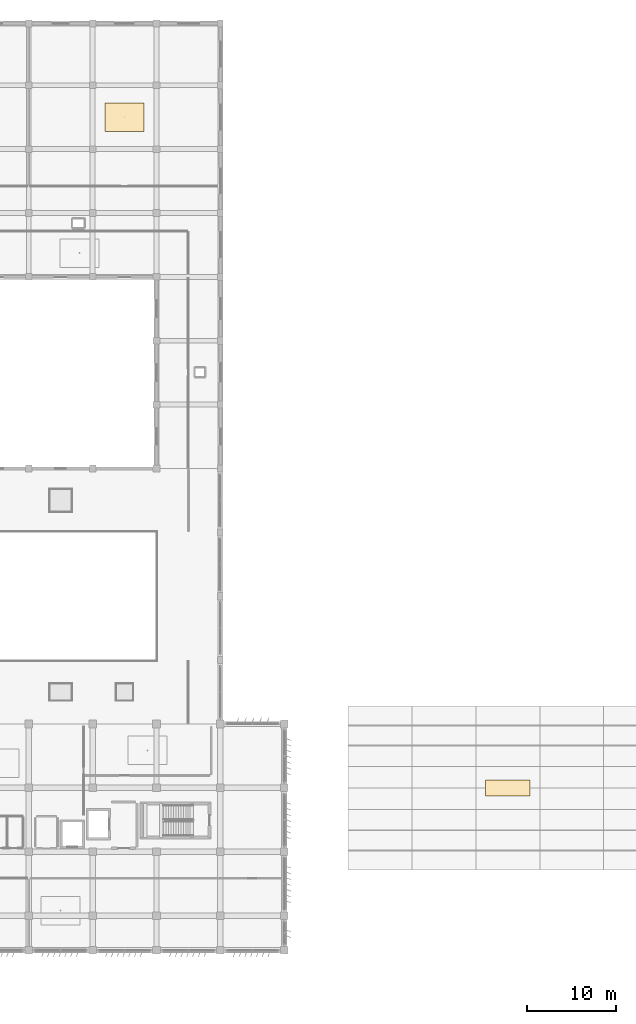
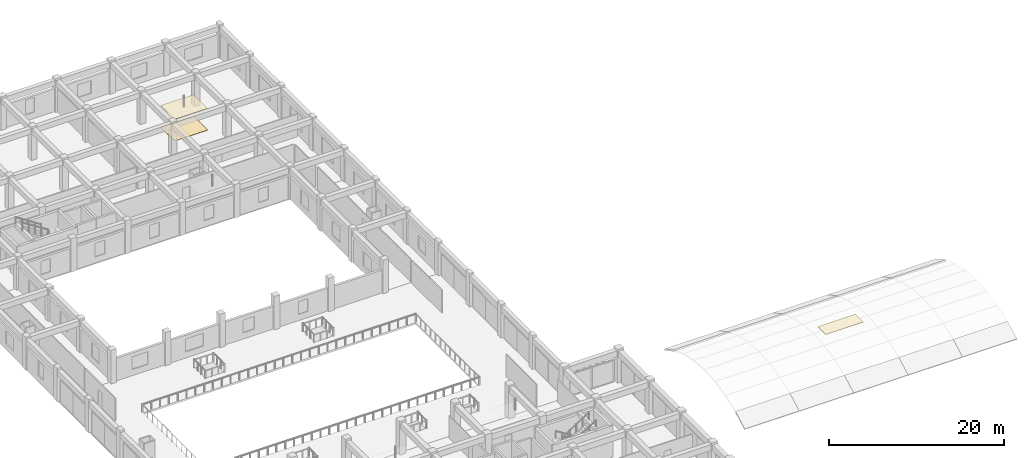
# One storey, part 55 of 55: 3 coverings.
"""IFC4 building model written with IfcOpenShell, lengths in metres."""

from ifc_helpers import new_model, si_unit, direction, frame, origin, origin_2d, place, context, subcontext, project, spatial, rectangle, extrude, material, layer, layer_set, type_object, element, save


model = new_model("IFC4")

# Units and contexts
model_context = context("Model", 3, precision=1e-05, world=origin(), true_north=direction((0.0, 1.0)))
body_context = subcontext(model_context, "Body", "Model", "MODEL_VIEW")
ifc_project = project(units=[si_unit("LENGTHUNIT", "METRE"), si_unit("AREAUNIT", "SQUARE_METRE"), si_unit("VOLUMEUNIT", "CUBIC_METRE"), si_unit("PLANEANGLEUNIT", "RADIAN"), si_unit("MASSUNIT", "GRAM", prefix="KILO")], contexts=[model_context])

# Site, building, storey
site_placement = place(None, origin())
site = spatial("IfcSite", under=ifc_project, at=site_placement, CompositionType="ELEMENT")
building_placement = place(site_placement, origin())
building = spatial("IfcBuilding", under=site, at=building_placement, Name="Kazehaya Institute of Natural Sciences", CompositionType="ELEMENT")
storey_placement = place(building_placement, frame((0.0, 0.0, 15.1201171875)))
storey = spatial("IfcBuildingStorey", under=building, at=storey_placement, Name="L03", CompositionType="ELEMENT", Elevation=15.1201171875)

# Coverings
ifc_material_1 = material(Name="Mineral-fibre acoustic ceiling tile")
ifc_layer_1 = layer(ifc_material_1, 0.02490234375, Name="Mineral-fibre acoustic ceiling tile")
ifc_layer_set_1 = layer_set([ifc_layer_1], Name="Mineral-fibre acoustic ceiling tile")
covering_type_1 = type_object("IfcCoveringType", Name="COV-CEIL-AC", PredefinedType="CEILING", material=ifc_layer_set_1)
covering_1_placement = place(storey_placement, frame((101.397705078125, 104.005615234375, 3.02734375), z_axis=(0.0, 0.0, 1.0), x_axis=(1.0, 0.0, 0.0)))
element("IfcCovering", 1, at=covering_1_placement, inside=storey, type_object=covering_type_1, Name="L03 Ecological Modelling Lab ceiling 38", PredefinedType="CEILING", context=body_context, shape_type="SweptSolid", body=[
    extrude(rectangle(XDim=4.39990234375, YDim=3.199951171875, at=origin_2d()), origin(), (0.0, 0.0, 1.0), 0.02490234375),
])
ifc_material_2 = material(Name="Polished Sawara stone terrazzo flooring", Category="masonry")
ifc_layer_2 = layer(ifc_material_2, 0.02001953125, Name="Polished Sawara stone terrazzo flooring", Category="masonry")
ifc_layer_set_2 = layer_set([ifc_layer_2], Name="Polished Sawara stone terrazzo flooring")
covering_type_2 = type_object("IfcCoveringType", Name="COV-FLR-TRZ", PredefinedType="FLOORING", material=ifc_layer_set_2)
covering_2_placement = place(storey_placement, frame((101.397705078125, 104.005615234375, -0.000244140625), z_axis=(0.0, 0.0, 1.0), x_axis=(1.0, 0.0, 0.0)))
element("IfcCovering", 2, at=covering_2_placement, inside=storey, type_object=covering_type_2, Name="L03 Ecological Modelling Lab finish flooring 38", PredefinedType="FLOORING", context=body_context, shape_type="SweptSolid", body=[
    extrude(rectangle(XDim=4.39990234375, YDim=3.199951171875, at=origin_2d()), origin(), (0.0, 0.0, 1.0), 0.02001953125),
])
ifc_material_3 = material(Name="Copper standing-seam roofing", Category="copper")
ifc_layer_3 = layer(ifc_material_3, 0.0400390625, Name="Copper standing-seam roofing", Category="copper")
ifc_layer_set_3 = layer_set([ifc_layer_3], Name="Copper standing-seam roofing")
covering_type_3 = type_object("IfcCoveringType", Name="COV-ROOF-CU", PredefinedType="ROOFING", material=ifc_layer_set_3)
covering_3_placement = place(storey_placement, frame((144.60009765625, 28.39990234375, 3.31982421875), z_axis=(0.0, 0.0, 1.0), x_axis=(1.0, 0.0, 0.0)))
element("IfcCovering", 3, at=covering_3_placement, inside=storey, type_object=covering_type_3, Name="L03 standing-seam roof covering 1", PredefinedType="ROOFING", context=body_context, shape_type="SweptSolid", body=[
    extrude(rectangle(XDim=5.0, YDim=1.800048828125, at=origin_2d()), origin(), (0.0, 0.0, 1.0), 0.0400390625),
])

save(model, "model.ifc")
